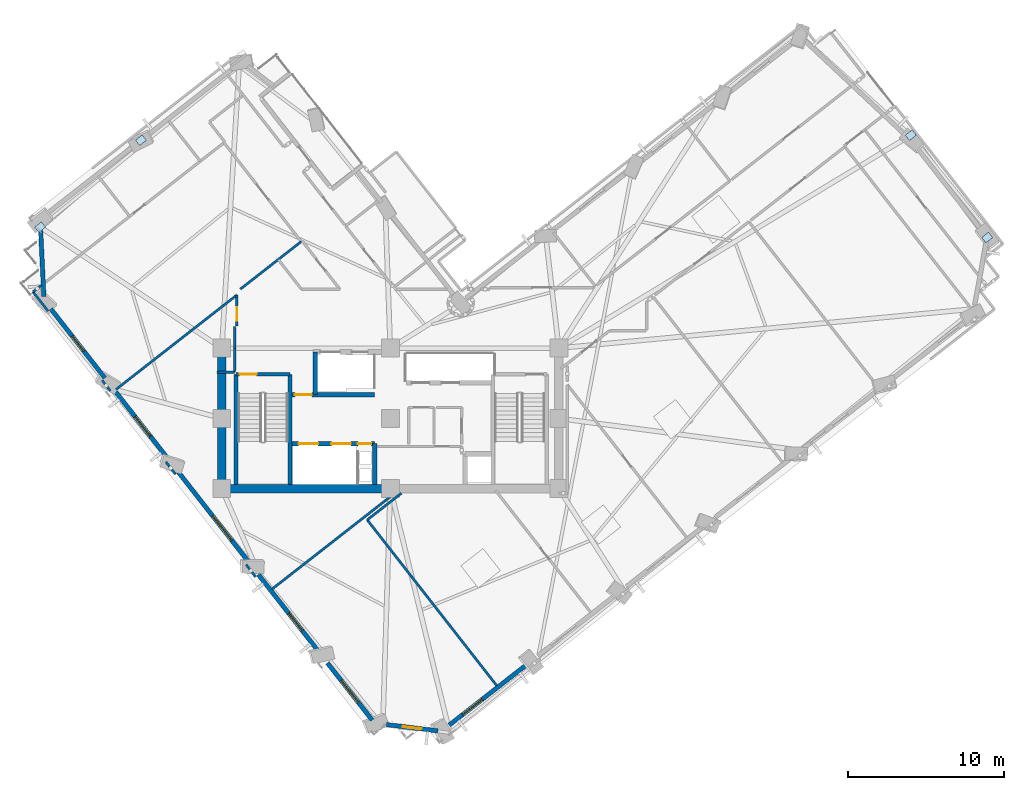
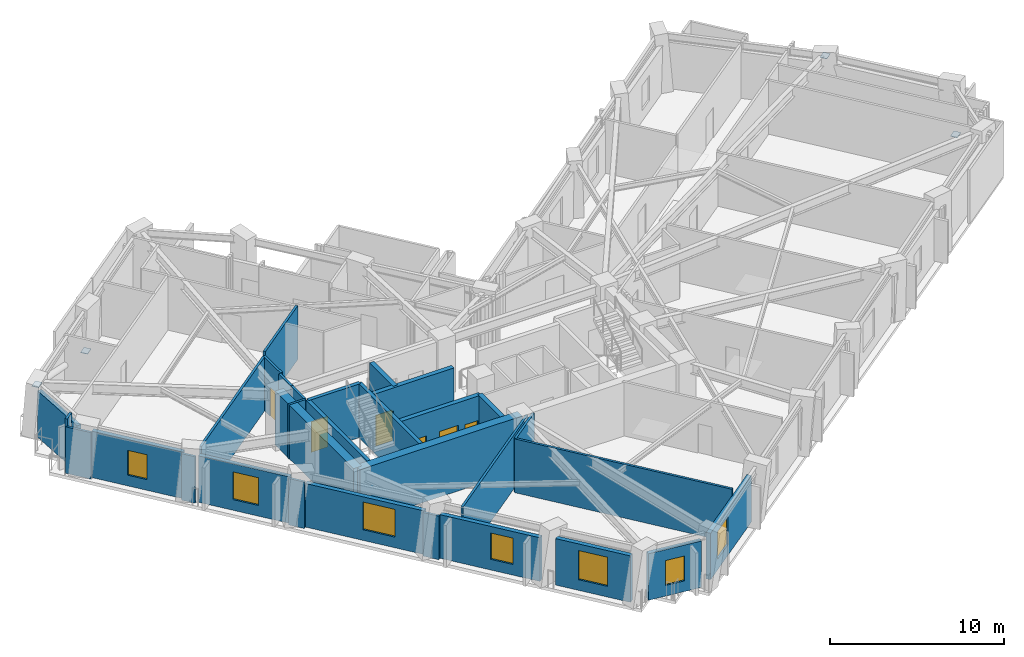
# One storey, part 5 of 14: 31 walls, 7 windows, 6 doors, 4 plates, 13 openings.
"""IFC4 building model written with IfcOpenShell, lengths in metres."""

from ifc_helpers import new_model, si_unit, direction, frame, frame_2d, origin, origin_2d, place, context, subcontext, project, spatial, rectangle, extrude, material, layer, layer_set, type_object, element, fill, save


model = new_model("IFC4")

# Units and contexts
model_context = context("Model", 3, precision=1e-05, world=origin(), true_north=direction((0.0, 1.0)))
body_context = subcontext(model_context, "Body", "Model", "MODEL_VIEW")
ifc_project = project(units=[si_unit("LENGTHUNIT", "METRE"), si_unit("AREAUNIT", "SQUARE_METRE"), si_unit("VOLUMEUNIT", "CUBIC_METRE"), si_unit("PLANEANGLEUNIT", "RADIAN"), si_unit("MASSUNIT", "GRAM", prefix="KILO")], contexts=[model_context])

# Site, building, storey
site_placement = place(None, origin())
site = spatial("IfcSite", under=ifc_project, at=site_placement, CompositionType="ELEMENT")
building_placement = place(site_placement, origin())
building = spatial("IfcBuilding", under=site, at=building_placement, Name="Gaonmaruhae Medical Tower", CompositionType="ELEMENT")
storey_placement = place(building_placement, frame((0.0, 0.0, 185.800048828125)))
storey = spatial("IfcBuildingStorey", under=building, at=storey_placement, Name="L44", CompositionType="ELEMENT", Elevation=185.800048828125)

# Plates
ifc_material_1 = material(Name="Steel HSA650 (650 MPa)", Category="steel")
ifc_layer_1 = layer(ifc_material_1, 0.028076171875)
ifc_layer_set_1 = layer_set([ifc_layer_1], Name="Steel HSA650 (650 MPa)")
plate_type = type_object("IfcPlateType", Name="GP-02 Tube Brace End Cap Gusset Plate", PredefinedType="USERDEFINED", material=ifc_layer_set_1)
for number, where, z_axis, x_axis, name in (
    (1, (63.0537109375, 23.890625, 0.23583984375), (0.0, 0.0, 1.0), (0.788010753607, 0.615661475326, 0.0), "L44 Gusset Cap Plate PLT-L44-PBR-E01A"),
    (2, (58.161376953125, 30.4453125, 3.51611328125), (0.0, 0.0, 1.0), (0.777694851116, 0.628641963719, 0.0), "L44 Gusset Cap Plate PLT-L44-PBR-E01B"),
    (3, (8.8203125, 30.122314453125, 0.23583984375), (0.0, 0.0, 1.0), (0.788010753607, 0.615661475326, 0.0), "L44 Gusset Cap Plate PLT-L44-PBR-N02A"),
    (4, (2.358154296875, 24.555908203125, 3.51611328125), (0.0, 0.0, 1.0), (0.777694851116, 0.628641963719, 0.0), "L44 Gusset Cap Plate PLT-L44-PBR-N02B"),
):
    element("IfcPlate", number, at=place(storey_placement, frame(where, z_axis=z_axis, x_axis=x_axis)), inside=storey, type_object=plate_type, Name=name, ObjectType="GUSSET_PLATE", PredefinedType="USERDEFINED", context=body_context, shape_type="SweptSolid", body=[
        extrude(rectangle(XDim=0.56005859375, YDim=0.43994140625, at=origin_2d()), origin(), (0.0, 0.0, 1.0), 0.028076171875),
    ])

# Walls
ifc_material_2 = material(Name="Concrete C50/60", Category="concrete")
ifc_layer_2 = layer(ifc_material_2, 0.550048828125)
ifc_layer_set_2 = layer_set([ifc_layer_2], Name="Concrete C50/60")
wall_type_1 = type_object("IfcWallType", Name="CW-550 Mid-High Core Shear Wall", PredefinedType="SHEAR", material=ifc_layer_set_2)
wall_1_placement = place(storey_placement, frame((14.0, 7.800048828125, 0.0), z_axis=(0.0, 0.0, 1.0), x_axis=(1.0, 0.0, 0.0)))
element("IfcWall", 5, at=wall_1_placement, inside=storey, type_object=wall_type_1, Name="L44 Core Shear Wall CSW-S1", PredefinedType="SHEAR", context=body_context, shape_type="SweptSolid", body=[
    extrude(rectangle(XDim=10.800048828125, YDim=0.550048828125, at=frame_2d((5.39990234375, 0.0))), origin(), (0.0, 0.0, 1.0), 3.780029296875),
])
wall_2_placement = place(storey_placement, frame((14.0, 16.800048828125, 0.0), z_axis=(0.0, 0.0, 1.0), x_axis=(0.0, -1.0, 0.0)))
element("IfcWall", 6, at=wall_2_placement, inside=storey, type_object=wall_type_1, Name="L44 Core Shear Wall CSW-W1", PredefinedType="SHEAR", context=body_context, shape_type="SweptSolid", body=[
    extrude(rectangle(XDim=9.0, YDim=0.550048828125, at=frame_2d((4.5, 0.0))), origin(), (0.0, 0.0, 1.0), 3.780029296875),
])

# Wall, opening, window
ifc_material_3 = material(Name="Precast concrete C45/55", Category="concrete")
ifc_layer_3 = layer(ifc_material_3, 0.280029296875)
ifc_layer_set_3 = layer_set([ifc_layer_3], Name="Precast concrete C45/55")
wall_type_2 = type_object("IfcWallType", Name="EW-280 Upper Precast Masonry-Frame Facade Wall", PredefinedType="SOLIDWALL", material=ifc_layer_set_3)
wall_3_placement = place(storey_placement, frame((33.51611328125, -3.501220703125, 0.0), z_axis=(0.0, 0.0, 1.0), x_axis=(-0.788023193074, -0.615645553202, 0.0)))
wall_3 = element("IfcWall", 7, at=wall_3_placement, inside=storey, type_object=wall_type_2, Name="L44 Precast Masonry-Frame Wall S01-S02", PredefinedType="SOLIDWALL", context=body_context, shape_type="SweptSolid", body=[
    extrude(rectangle(XDim=6.27001953125, YDim=0.280029296875, at=frame_2d((3.135009765625, 0.0))), origin(), (0.0, 0.0, 1.0), 3.264892578125),
])
opening_1_placement = place(wall_3_placement, frame((3.584228515625, 0.0, 0.75)))
opening_1 = element("IfcOpeningElement", 8, at=opening_1_placement, cuts=wall_3, Name="Opening WN-01", PredefinedType="OPENING", context=body_context, shape_type="SweptSolid", body=[
    extrude(rectangle(XDim=1.60009765625, YDim=1.949951171875, at=frame_2d((0.800048828125, 0.97509765625))), frame((0.0, 0.14990234375, 0.0), z_axis=(0.0, -1.0, 0.0), x_axis=(1.0, 0.0, 0.0)), (0.0, 0.0, 1.0), 0.300048828125),
])
ifc_material_4 = material(Name="Anodised aluminium and Low-E double glazing", Category="aluminium")
window_type_1 = type_object("IfcWindowType", Name="WN-01 Ward Punched Acoustic Window 1600x1950", PartitioningType="SINGLE_PANEL", PredefinedType="WINDOW", material=ifc_material_4)
window_1_placement = place(opening_1_placement, origin())
window_1 = element("IfcWindow", 9, at=window_1_placement, inside=storey, type_object=window_type_1, Name="L44 Modular Facade Window S01", OverallHeight=1.949951171875, OverallWidth=1.60009765625, PartitioningType="SINGLE_PANEL", PredefinedType="WINDOW", context=body_context, shape_type="SweptSolid", body=[
    extrude(rectangle(XDim=1.60009765625, YDim=1.949951171875, at=frame_2d((0.800048828125, 0.97509765625))), frame((0.0, 0.030029296875, 0.0), z_axis=(0.0, -1.0, 0.0), x_axis=(1.0, 0.0, 0.0)), (0.0, 0.0, 1.0), 0.06005859375),
])
fill(opening_1, window_1)

# Wall
wall_4_placement = place(storey_placement, frame((2.599609375, 20.114501953125, 0.0), z_axis=(0.0, 0.0, 1.0), x_axis=(-0.048532085182, 0.998821624069, 0.0)))
element("IfcWall", 10, at=wall_4_placement, inside=storey, type_object=wall_type_2, Name="L44 Precast Masonry-Frame Wall N03-W01", PredefinedType="SOLIDWALL", context=body_context, shape_type="SweptSolid", body=[
    extrude(rectangle(XDim=4.21044921875, YDim=0.280029296875, at=frame_2d((2.105224609375, 0.0))), origin(), (0.0, 0.0, 1.0), 3.264892578125),
])

# Wall, opening, window
wall_5_placement = place(storey_placement, frame((6.512451171875, 14.884521484375, 0.0), z_axis=(0.0, 0.0, 1.0), x_axis=(-0.615681083273, 0.787995433806, 0.0)))
wall_5 = element("IfcWall", 11, at=wall_5_placement, inside=storey, type_object=wall_type_2, Name="L44 Precast Masonry-Frame Wall W01-W02", PredefinedType="SOLIDWALL", context=body_context, shape_type="SweptSolid", body=[
    extrude(rectangle(XDim=5.627685546875, YDim=0.280029296875, at=frame_2d((2.81396484375, 0.0))), origin(), (0.0, 0.0, 1.0), 3.264892578125),
])
opening_2_placement = place(wall_5_placement, frame((2.211181640625, 0.0, 0.75)))
opening_2 = element("IfcOpeningElement", 12, at=opening_2_placement, cuts=wall_5, Name="Opening WN-05", PredefinedType="OPENING", context=body_context, shape_type="SweptSolid", body=[
    extrude(rectangle(XDim=1.199951171875, YDim=1.75, at=frame_2d((0.60009765625, 0.875))), frame((0.0, 0.14990234375, 0.0), z_axis=(0.0, -1.0, 0.0), x_axis=(1.0, 0.0, 0.0)), (0.0, 0.0, 1.0), 0.300048828125),
])
window_type_2 = type_object("IfcWindowType", Name="WN-05 Support & Staff Punched Window 1200x1750", PartitioningType="SINGLE_PANEL", PredefinedType="WINDOW", material=ifc_material_4)
window_2_placement = place(opening_2_placement, origin())
window_2 = element("IfcWindow", 13, at=window_2_placement, inside=storey, type_object=window_type_2, Name="L44 Modular Facade Window W01", OverallHeight=1.75, OverallWidth=1.199951171875, PartitioningType="SINGLE_PANEL", PredefinedType="WINDOW", context=body_context, shape_type="SweptSolid", body=[
    extrude(rectangle(XDim=1.199951171875, YDim=1.75, at=frame_2d((0.60009765625, 0.875))), frame((0.0, 0.030029296875, 0.0), z_axis=(0.0, -1.0, 0.0), x_axis=(1.0, 0.0, 0.0)), (0.0, 0.0, 1.0), 0.06005859375),
])
fill(opening_2, window_2)

wall_6_placement = place(storey_placement, frame((10.603515625, 9.648193359375, 0.0), z_axis=(0.0, 0.0, 1.0), x_axis=(-0.61566746973, 0.788006070228, 0.0)))
wall_6 = element("IfcWall", 14, at=wall_6_placement, inside=storey, type_object=wall_type_2, Name="L44 Precast Masonry-Frame Wall W02-W03", PredefinedType="SOLIDWALL", context=body_context, shape_type="SweptSolid", body=[
    extrude(rectangle(XDim=5.662353515625, YDim=0.280029296875, at=frame_2d((2.8310546875, 0.0))), origin(), (0.0, 0.0, 1.0), 3.264892578125),
])
opening_3_placement = place(wall_6_placement, frame((1.910888671875, 0.0, 0.75)))
opening_3 = element("IfcOpeningElement", 15, at=opening_3_placement, cuts=wall_6, Name="Opening WN-01", PredefinedType="OPENING", context=body_context, shape_type="SweptSolid", body=[
    extrude(rectangle(XDim=1.60009765625, YDim=1.949951171875, at=frame_2d((0.800048828125, 0.97509765625))), frame((0.0, 0.14990234375, 0.0), z_axis=(0.0, -1.0, 0.0), x_axis=(1.0, 0.0, 0.0)), (0.0, 0.0, 1.0), 0.300048828125),
])
window_3_placement = place(opening_3_placement, origin())
window_3 = element("IfcWindow", 16, at=window_3_placement, inside=storey, type_object=window_type_1, Name="L44 Modular Facade Window W02", OverallHeight=1.949951171875, OverallWidth=1.60009765625, PartitioningType="SINGLE_PANEL", PredefinedType="WINDOW", context=body_context, shape_type="SweptSolid", body=[
    extrude(rectangle(XDim=1.60009765625, YDim=1.949951171875, at=frame_2d((0.800048828125, 0.97509765625))), frame((0.0, 0.030029296875, 0.0), z_axis=(0.0, -1.0, 0.0), x_axis=(1.0, 0.0, 0.0)), (0.0, 0.0, 1.0), 0.06005859375),
])
fill(opening_3, window_3)

wall_7_placement = place(storey_placement, frame((15.74560546875, 3.06640625, 0.0), z_axis=(0.0, 0.0, 1.0), x_axis=(-0.615661421178, 0.788010795912, 0.0)))
wall_7 = element("IfcWall", 17, at=wall_7_placement, inside=storey, type_object=wall_type_2, Name="L44 Precast Masonry-Frame Wall W03-W04", PredefinedType="SOLIDWALL", context=body_context, shape_type="SweptSolid", body=[
    extrude(rectangle(XDim=7.3603515625, YDim=0.280029296875, at=frame_2d((3.68017578125, 0.0))), origin(), (0.0, 0.0, 1.0), 3.06494140625),
])
opening_4_placement = place(wall_7_placement, frame((1.78759765625, 0.0, 0.75)))
opening_4 = element("IfcOpeningElement", 18, at=opening_4_placement, cuts=wall_7, Name="Opening WN-02", PredefinedType="OPENING", context=body_context, shape_type="SweptSolid", body=[
    extrude(rectangle(XDim=2.0, YDim=1.949951171875, at=frame_2d((1.0, 0.97509765625))), frame((0.0, 0.14990234375, 0.0), z_axis=(0.0, -1.0, 0.0), x_axis=(1.0, 0.0, 0.0)), (0.0, 0.0, 1.0), 0.300048828125),
])
window_type_3 = type_object("IfcWindowType", Name="WN-02 Double-Bed Ward Punched Window 2000x1950", PartitioningType="SINGLE_PANEL", PredefinedType="WINDOW", material=ifc_material_4)
window_4_placement = place(opening_4_placement, origin())
window_4 = element("IfcWindow", 19, at=window_4_placement, inside=storey, type_object=window_type_3, Name="L44 Modular Facade Window W03", OverallHeight=1.949951171875, OverallWidth=2.0, PartitioningType="SINGLE_PANEL", PredefinedType="WINDOW", context=body_context, shape_type="SweptSolid", body=[
    extrude(rectangle(XDim=2.0, YDim=1.949951171875, at=frame_2d((1.0, 0.97509765625))), frame((0.0, 0.030029296875, 0.0), z_axis=(0.0, -1.0, 0.0), x_axis=(1.0, 0.0, 0.0)), (0.0, 0.0, 1.0), 0.06005859375),
])
fill(opening_4, window_4)

wall_8_placement = place(storey_placement, frame((20.184326171875, -2.614990234375, 0.0), z_axis=(0.0, 0.0, 1.0), x_axis=(-0.615650131987, 0.788019615863, 0.0)))
wall_8 = element("IfcWall", 20, at=wall_8_placement, inside=storey, type_object=wall_type_2, Name="L44 Precast Masonry-Frame Wall W04-W05", PredefinedType="SOLIDWALL", context=body_context, shape_type="SweptSolid", body=[
    extrude(rectangle(XDim=6.2236328125, YDim=0.280029296875, at=frame_2d((3.11181640625, 0.0))), origin(), (0.0, 0.0, 1.0), 3.06494140625),
])
opening_5_placement = place(wall_8_placement, frame((1.67529296875, 0.0, 0.75)))
opening_5 = element("IfcOpeningElement", 21, at=opening_5_placement, cuts=wall_8, Name="Opening WN-03", PredefinedType="OPENING", context=body_context, shape_type="SweptSolid", body=[
    extrude(rectangle(XDim=1.39990234375, YDim=1.85009765625, at=frame_2d((0.699951171875, 0.925048828125))), frame((0.0, 0.14990234375, 0.0), z_axis=(0.0, -1.0, 0.0), x_axis=(1.0, 0.0, 0.0)), (0.0, 0.0, 1.0), 0.300048828125),
])
window_type_4 = type_object("IfcWindowType", Name="WN-03 Isolation Ward Punched Window 1400x1850", PartitioningType="SINGLE_PANEL", PredefinedType="WINDOW", material=ifc_material_4)
window_5_placement = place(opening_5_placement, origin())
window_5 = element("IfcWindow", 22, at=window_5_placement, inside=storey, type_object=window_type_4, Name="L44 Modular Facade Window W04", OverallHeight=1.85009765625, OverallWidth=1.39990234375, PartitioningType="SINGLE_PANEL", PredefinedType="WINDOW", context=body_context, shape_type="SweptSolid", body=[
    extrude(rectangle(XDim=1.39990234375, YDim=1.85009765625, at=frame_2d((0.699951171875, 0.925048828125))), frame((0.0, 0.030029296875, 0.0), z_axis=(0.0, -1.0, 0.0), x_axis=(1.0, 0.0, 0.0)), (0.0, 0.0, 1.0), 0.06005859375),
])
fill(opening_5, window_5)

wall_9_placement = place(storey_placement, frame((23.64013671875, -7.0380859375, 0.0), z_axis=(0.0, 0.0, 1.0), x_axis=(-0.615684818606, 0.787992515281, 0.0)))
wall_9 = element("IfcWall", 23, at=wall_9_placement, inside=storey, type_object=wall_type_2, Name="L44 Precast Masonry-Frame Wall W05-W06", PredefinedType="SOLIDWALL", context=body_context, shape_type="SweptSolid", body=[
    extrude(rectangle(XDim=4.6474609375, YDim=0.280029296875, at=frame_2d((2.32373046875, 0.0))), origin(), (0.0, 0.0, 1.0), 3.264892578125),
])
opening_6_placement = place(wall_9_placement, frame((1.427001953125, 0.0, 0.75)))
opening_6 = element("IfcOpeningElement", 24, at=opening_6_placement, cuts=wall_9, Name="Opening WN-04", PredefinedType="OPENING", context=body_context, shape_type="SweptSolid", body=[
    extrude(rectangle(XDim=1.800048828125, YDim=2.050048828125, at=frame_2d((0.89990234375, 1.02490234375))), frame((0.0, 0.14990234375, 0.0), z_axis=(0.0, -1.0, 0.0), x_axis=(1.0, 0.0, 0.0)), (0.0, 0.0, 1.0), 0.300048828125),
])
window_type_5 = type_object("IfcWindowType", Name="WN-04 Clinic & Consult Punched Window 1800x2050", PartitioningType="SINGLE_PANEL", PredefinedType="WINDOW", material=ifc_material_4)
window_6_placement = place(opening_6_placement, origin())
window_6 = element("IfcWindow", 25, at=window_6_placement, inside=storey, type_object=window_type_5, Name="L44 Modular Facade Window W05", OverallHeight=2.050048828125, OverallWidth=1.800048828125, PartitioningType="SINGLE_PANEL", PredefinedType="WINDOW", context=body_context, shape_type="SweptSolid", body=[
    extrude(rectangle(XDim=1.800048828125, YDim=2.050048828125, at=frame_2d((0.89990234375, 1.02490234375))), frame((0.0, 0.030029296875, 0.0), z_axis=(0.0, -1.0, 0.0), x_axis=(1.0, 0.0, 0.0)), (0.0, 0.0, 1.0), 0.06005859375),
])
fill(opening_6, window_6)

wall_10_placement = place(storey_placement, frame((27.85009765625, -7.728271484375, 0.0), z_axis=(0.0, 0.0, 1.0), x_axis=(-0.992543455277, 0.121891301525, 0.0)))
wall_10 = element("IfcWall", 26, at=wall_10_placement, inside=storey, type_object=wall_type_2, Name="L44 Precast Masonry-Frame Wall W06-S01", PredefinedType="SOLIDWALL", context=body_context, shape_type="SweptSolid", body=[
    extrude(rectangle(XDim=3.32275390625, YDim=0.280029296875, at=frame_2d((1.661376953125, 0.0))), origin(), (0.0, 0.0, 1.0), 3.264892578125),
])
opening_7_placement = place(wall_10_placement, frame((1.060791015625, 0.0, 0.75)))
opening_7 = element("IfcOpeningElement", 27, at=opening_7_placement, cuts=wall_10, Name="Opening WN-05", PredefinedType="OPENING", context=body_context, shape_type="SweptSolid", body=[
    extrude(rectangle(XDim=1.199951171875, YDim=1.75, at=frame_2d((0.60009765625, 0.875))), frame((0.0, 0.14990234375, 0.0), z_axis=(0.0, -1.0, 0.0), x_axis=(1.0, 0.0, 0.0)), (0.0, 0.0, 1.0), 0.300048828125),
])
window_7_placement = place(opening_7_placement, origin())
window_7 = element("IfcWindow", 28, at=window_7_placement, inside=storey, type_object=window_type_2, Name="L44 Modular Facade Window W06", OverallHeight=1.75, OverallWidth=1.199951171875, PartitioningType="SINGLE_PANEL", PredefinedType="WINDOW", context=body_context, shape_type="SweptSolid", body=[
    extrude(rectangle(XDim=1.199951171875, YDim=1.75, at=frame_2d((0.60009765625, 0.875))), frame((0.0, 0.030029296875, 0.0), z_axis=(0.0, -1.0, 0.0), x_axis=(1.0, 0.0, 0.0)), (0.0, 0.0, 1.0), 0.06005859375),
])
fill(opening_7, window_7)

# Walls
ifc_material_5 = material(Name="Gypsum board partition", Category="gypsum")
ifc_layer_4 = layer(ifc_material_5, 0.14990234375)
ifc_layer_set_4 = layer_set([ifc_layer_4], Name="Gypsum board partition")
wall_type_3 = type_object("IfcWallType", Name="PW-150 Rated Clinical Corridor Partition", PredefinedType="PARTITIONING", material=ifc_layer_set_4)
wall_11_placement = place(storey_placement, frame((31.625, -4.8330078125, 0.0), z_axis=(0.0, 0.0, 1.0), x_axis=(-0.615629988963, 0.788035352436, 0.0)))
element("IfcWall", 29, at=wall_11_placement, inside=storey, type_object=wall_type_3, Name="L44 Interior Partition L44-SUP02-9", PredefinedType="PARTITIONING", context=body_context, shape_type="SweptSolid", body=[
    extrude(rectangle(XDim=13.4853515625, YDim=0.14990234375, at=frame_2d((6.74267578125, 0.0))), origin(), (0.0, 0.0, 1.0), 3.780029296875),
])
wall_12_placement = place(storey_placement, frame((23.322998046875, 5.7939453125, 0.0), z_axis=(0.0, 0.0, 1.0), x_axis=(0.788069779756, 0.615585917833, 0.0)))
element("IfcWall", 30, at=wall_12_placement, inside=storey, type_object=wall_type_3, Name="L44 Interior Partition L44-SUP02-10", PredefinedType="PARTITIONING", context=body_context, shape_type="SweptSolid", body=[
    extrude(rectangle(XDim=2.771484375, YDim=0.14990234375, at=frame_2d((1.3857421875, 0.0))), origin(), (0.0, 0.0, 1.0), 3.780029296875),
])
wall_13_placement = place(storey_placement, frame((25.0849609375, 7.5, 0.0), z_axis=(0.0, 0.0, 1.0), x_axis=(-0.788054803654, -0.615605089678, 0.0)))
element("IfcWall", 31, at=wall_13_placement, inside=storey, type_object=wall_type_3, Name="L44 Interior Partition L44-WOF07-30", PredefinedType="PARTITIONING", context=body_context, shape_type="SweptSolid", body=[
    extrude(rectangle(XDim=9.9736328125, YDim=0.14990234375, at=frame_2d((4.98681640625, 0.0))), origin(), (0.0, 0.0, 1.0), 3.780029296875),
])
wall_14_placement = place(storey_placement, frame((16.1708984375, 2.14697265625, 0.0), z_axis=(0.0, 0.0, 1.0), x_axis=(-0.615053333502, 0.788485508395, 0.0)))
element("IfcWall", 32, at=wall_14_placement, inside=storey, type_object=wall_type_3, Name="L44 Interior Partition L44-WOF07-31", PredefinedType="PARTITIONING", context=body_context, shape_type="SweptSolid", body=[
    extrude(rectangle(XDim=0.98681640625, YDim=0.14990234375, at=frame_2d((0.493408203125, 0.0))), origin(), (0.0, 0.0, 1.0), 3.06494140625),
])
wall_15_placement = place(storey_placement, frame((14.820068359375, 18.199951171875, 0.0), z_axis=(0.0, 0.0, 1.0), x_axis=(0.01499656939, -0.99988754513, 0.0)))
element("IfcWall", 33, at=wall_15_placement, inside=storey, type_object=wall_type_3, Name="L44 Interior Partition L44-WOF08-33", PredefinedType="PARTITIONING", context=body_context, shape_type="SweptSolid", body=[
    extrude(rectangle(XDim=1.400146484375, YDim=0.14990234375, at=frame_2d((0.7001953125, 0.0))), origin(), (0.0, 0.0, 1.0), 3.780029296875),
])
wall_16_placement = place(storey_placement, frame((14.841064453125, 16.800048828125, 0.0), z_axis=(0.0, 0.0, 1.0), x_axis=(-0.01363221443, -0.999907077048, 0.0)))
element("IfcWall", 34, at=wall_16_placement, inside=storey, type_object=wall_type_3, Name="L44 Interior Partition L44-WOF08-34", PredefinedType="PARTITIONING", context=body_context, shape_type="SweptSolid", body=[
    extrude(rectangle(XDim=1.540283203125, YDim=0.14990234375, at=frame_2d((0.77001953125, 0.0))), origin(), (0.0, 0.0, 1.0), 3.780029296875),
])
wall_17_placement = place(storey_placement, frame((14.820068359375, 15.260009765625, 0.0), z_axis=(0.0, 0.0, 1.0), x_axis=(-1.0, 0.0, 0.0)))
element("IfcWall", 35, at=wall_17_placement, inside=storey, type_object=wall_type_3, Name="L44 Interior Partition L44-WOF08-35", PredefinedType="PARTITIONING", context=body_context, shape_type="SweptSolid", body=[
    extrude(rectangle(XDim=1.1201171875, YDim=0.14990234375, at=frame_2d((0.56005859375, 0.0))), origin(), (0.0, 0.0, 1.0), 3.780029296875),
])
wall_18_placement = place(storey_placement, frame((11.032958984375, 8.72509765625, 0.0), z_axis=(0.0, 0.0, 1.0), x_axis=(-0.615591520289, 0.788065403471, 0.0)))
element("IfcWall", 36, at=wall_18_placement, inside=storey, type_object=wall_type_3, Name="L44 Interior Partition L44-WOF08-36", PredefinedType="PARTITIONING", context=body_context, shape_type="SweptSolid", body=[
    extrude(rectangle(XDim=0.9921875, YDim=0.14990234375, at=frame_2d((0.49609375, 0.0))), origin(), (0.0, 0.0, 1.0), 3.264892578125),
])
wall_19_placement = place(storey_placement, frame((7.22705078125, 14.156982421875, 0.0), z_axis=(0.0, 0.0, 1.0), x_axis=(0.788028517416, 0.615638738011, 0.0)))
element("IfcWall", 37, at=wall_19_placement, inside=storey, type_object=wall_type_3, Name="L44 Interior Partition L44-WOF08-37", PredefinedType="PARTITIONING", context=body_context, shape_type="SweptSolid", body=[
    extrude(rectangle(XDim=9.82568359375, YDim=0.14990234375, at=frame_2d((4.912841796875, 0.0))), origin(), (0.0, 0.0, 1.0), 3.780029296875),
])

# Wall, opening, door
wall_20_placement = place(storey_placement, frame((14.969970703125, 20.2060546875, 0.0), z_axis=(0.0, 0.0, 1.0), x_axis=(0.0, -1.0, 0.0)))
wall_20 = element("IfcWall", 38, at=wall_20_placement, inside=storey, type_object=wall_type_3, Name="L44 Interior Partition L44-WOF08-38", PredefinedType="PARTITIONING", context=body_context, shape_type="SweptSolid", body=[
    extrude(rectangle(XDim=1.97607421875, YDim=0.14990234375, at=frame_2d((0.988037109375, 0.0))), origin(), (0.0, 0.0, 1.0), 3.780029296875),
])
opening_8_placement = place(wall_20_placement, frame((0.77490234375, 0.0, 0.0)))
opening_8 = element("IfcOpeningElement", 39, at=opening_8_placement, cuts=wall_20, Name="Opening AD-01", PredefinedType="OPENING", context=body_context, shape_type="SweptSolid", body=[
    extrude(rectangle(XDim=0.860107421875, YDim=2.06005859375, at=frame_2d((0.43017578125, 1.030029296875))), frame((0.0, 0.0849609375, 0.0), z_axis=(0.0, -1.0, 0.0), x_axis=(1.0, 0.0, 0.0)), (0.0, 0.0, 1.0), 0.169921875),
])
ifc_material_6 = material(Name="Powder-coated steel access door", Category="steel")
door_type_1 = type_object("IfcDoorType", Name="AD-01 Riser & Closet Access Fire Door 860x2060", OperationType="NOTDEFINED", PredefinedType="DOOR", material=ifc_material_6)
door_1_placement = place(opening_8_placement, origin())
door_1 = element("IfcDoor", 40, at=door_1_placement, inside=storey, type_object=door_type_1, Name="L44 Ward Physician Reporting Office Sliding Door", OperationType="SLIDING_TO_LEFT", OverallHeight=2.06005859375, OverallWidth=0.860107421875, PredefinedType="DOOR", context=body_context, shape_type="SweptSolid", body=[
    extrude(rectangle(XDim=0.860107421875, YDim=2.06005859375, at=frame_2d((0.43017578125, 1.030029296875))), frame((0.0, 0.02490234375, 0.0), z_axis=(0.0, -1.0, 0.0), x_axis=(1.0, 0.0, 0.0)), (0.0, 0.0, 1.0), 0.050048828125),
])
fill(opening_8, door_1)

# Walls
wall_21_placement = place(storey_placement, frame((6.85595703125, 14.070068359375, 0.0), z_axis=(0.0, 0.0, 1.0), x_axis=(-0.615644041972, 0.788024373725, 0.0)))
element("IfcWall", 41, at=wall_21_placement, inside=storey, type_object=wall_type_3, Name="L44 Interior Partition L44-WOF09-39", PredefinedType="PARTITIONING", context=body_context, shape_type="SweptSolid", body=[
    extrude(rectangle(XDim=0.8525390625, YDim=0.14990234375, at=frame_2d((0.42626953125, 0.0))), origin(), (0.0, 0.0, 1.0), 3.264892578125),
])
wall_22_placement = place(storey_placement, frame((2.865966796875, 19.177001953125, 0.0), z_axis=(0.0, 0.0, 1.0), x_axis=(-0.615565050516, 0.788086079425, 0.0)))
element("IfcWall", 42, at=wall_22_placement, inside=storey, type_object=wall_type_3, Name="L44 Interior Partition L44-WOF09-40", PredefinedType="PARTITIONING", context=body_context, shape_type="SweptSolid", body=[
    extrude(rectangle(XDim=1.5595703125, YDim=0.14990234375, at=frame_2d((0.77978515625, 0.0))), origin(), (0.0, 0.0, 1.0), 3.264892578125),
])
wall_23_placement = place(storey_placement, frame((1.906005859375, 20.406005859375, 0.0), z_axis=(0.0, 0.0, 1.0), x_axis=(0.787960028155, 0.61572639543, 0.0)))
element("IfcWall", 43, at=wall_23_placement, inside=storey, type_object=wall_type_3, Name="L44 Interior Partition L44-WOF09-41", PredefinedType="PARTITIONING", context=body_context, shape_type="SweptSolid", body=[
    extrude(rectangle(XDim=0.6904296875, YDim=0.14990234375, at=frame_2d((0.34521484375, 0.0))), origin(), (0.0, 0.0, 1.0), 3.780029296875),
])
wall_24_placement = place(storey_placement, frame((19.093994140625, 23.632080078125, 0.0), z_axis=(0.0, 0.0, 1.0), x_axis=(-0.787981810279, -0.615698519301, 0.0)))
element("IfcWall", 44, at=wall_24_placement, inside=storey, type_object=wall_type_3, Name="L44 Interior Partition L44-WOF09-44", PredefinedType="PARTITIONING", context=body_context, shape_type="SweptSolid", body=[
    extrude(rectangle(XDim=4.95703125, YDim=0.14990234375, at=frame_2d((2.478515625, 0.0))), origin(), (0.0, 0.0, 1.0), 3.780029296875),
])

# Wall, opening, door
ifc_layer_5 = layer(ifc_material_2, 0.239990234375)
ifc_layer_set_5 = layer_set([ifc_layer_5], Name="Concrete C50/60")
wall_type_4 = type_object("IfcWallType", Name="SW-240 Dogleg Stair Tight Shaft Wall", PredefinedType="SOLIDWALL", material=ifc_layer_set_5)
wall_25_placement = place(storey_placement, frame((14.919921875, 15.1201171875, 0.0), z_axis=(0.0, 0.0, 1.0), x_axis=(1.0, 0.0, 0.0)))
wall_25 = element("IfcWall", 45, at=wall_25_placement, inside=storey, type_object=wall_type_4, Name="L44 ST-01 Stair Shaft Wall SHW-ST-01-N", PredefinedType="SOLIDWALL", context=body_context, shape_type="SweptSolid", body=[
    extrude(rectangle(XDim=3.4599609375, YDim=0.239990234375, at=frame_2d((1.72998046875, 0.0))), origin(), (0.0, 0.0, 1.0), 3.780029296875),
])
opening_9_placement = place(wall_25_placement, frame((0.219970703125, 0.0, 0.0)))
opening_9 = element("IfcOpeningElement", 46, at=opening_9_placement, cuts=wall_25, Name="Opening FD-01", PredefinedType="OPENING", context=body_context, shape_type="SweptSolid", body=[
    extrude(rectangle(XDim=1.10009765625, YDim=2.14990234375, at=frame_2d((0.550048828125, 1.074951171875))), frame((0.0, 0.1298828125, 0.0), z_axis=(0.0, -1.0, 0.0), x_axis=(1.0, 0.0, 0.0)), (0.0, 0.0, 1.0), 0.260009765625),
])
ifc_material_7 = material(Name="Powder-coated steel fire door", Category="steel")
door_type_2 = type_object("IfcDoorType", Name="FD-01 Escape Stair Protected Fire Door 1100x2150", OperationType="NOTDEFINED", PredefinedType="DOOR", material=ifc_material_7)
door_2_placement = place(opening_9_placement, origin())
door_2 = element("IfcDoor", 47, at=door_2_placement, inside=storey, type_object=door_type_2, Name="L44 ST-01 Protected Escape Stair Door", OperationType="SINGLE_SWING_LEFT", OverallHeight=2.14990234375, OverallWidth=1.10009765625, PredefinedType="DOOR", context=body_context, shape_type="SweptSolid", body=[
    extrude(rectangle(XDim=1.10009765625, YDim=2.14990234375, at=frame_2d((0.550048828125, 1.074951171875))), frame((0.0, 0.02490234375, 0.0), z_axis=(0.0, -1.0, 0.0), x_axis=(1.0, 0.0, 0.0)), (0.0, 0.0, 1.0), 0.050048828125),
])
fill(opening_9, door_2)

# Walls
for number, where, z_axis, x_axis, name in (
    (48, (18.3798828125, 15.1201171875, 0.0), (0.0, 0.0, 1.0), (0.0, -1.0, 0.0), "L44 ST-01 Stair Shaft Wall SHW-ST-01-E"),
    (49, (14.919921875, 8.074951171875, 0.0), (0.0, 0.0, 1.0), (0.0, 1.0, 0.0), "L44 ST-01 Stair Shaft Wall SHW-ST-01-W"),
):
    element("IfcWall", number, at=place(storey_placement, frame(where, z_axis=z_axis, x_axis=x_axis)), inside=storey, type_object=wall_type_4, Name=name, PredefinedType="SOLIDWALL", context=body_context, shape_type="SweptSolid", body=[
        extrude(rectangle(XDim=7.045166015625, YDim=0.239990234375, at=frame_2d((3.5224609375, 0.0))), origin(), (0.0, 0.0, 1.0), 3.780029296875),
    ])

# Wall, openings, doors
ifc_layer_6 = layer(ifc_material_2, 0.300048828125)
ifc_layer_set_6 = layer_set([ifc_layer_6], Name="Concrete C50/60")
wall_type_5 = type_object("IfcWallType", Name="SW-300 Stair & Lift Hoistway Shaft Wall", PredefinedType="SOLIDWALL", material=ifc_layer_set_6)
wall_26_placement = place(storey_placement, frame((18.5, 10.679931640625, 0.0), z_axis=(0.0, 0.0, 1.0), x_axis=(1.0, 0.0, 0.0)))
wall_26 = element("IfcWall", 50, at=wall_26_placement, inside=storey, type_object=wall_type_5, Name="L44 Shaft Enclosure Wall SHW-FFN", PredefinedType="SOLIDWALL", context=body_context, shape_type="SweptSolid", body=[
    extrude(rectangle(XDim=5.300048828125, YDim=0.300048828125, at=frame_2d((2.64990234375, 0.0))), origin(), (0.0, 0.0, 1.0), 3.780029296875),
])
opening_10_placement = place(wall_26_placement, frame((4.219970703125, 0.0, 0.0)))
opening_10 = element("IfcOpeningElement", 51, at=opening_10_placement, cuts=wall_26, Name="Opening AD-01", PredefinedType="OPENING", context=body_context, shape_type="SweptSolid", body=[
    extrude(rectangle(XDim=0.860107421875, YDim=2.06005859375, at=frame_2d((0.43017578125, 1.030029296875))), frame((0.0, 0.16015625, 0.0), z_axis=(0.0, -1.0, 0.0), x_axis=(1.0, 0.0, 0.0)), (0.0, 0.0, 1.0), 0.320068359375),
])
opening_11_placement = place(wall_26_placement, frame((0.425048828125, 0.0, 0.0)))
opening_11 = element("IfcOpeningElement", 52, at=opening_11_placement, cuts=wall_26, Name="Opening LD-F1", PredefinedType="OPENING", context=body_context, shape_type="SweptSolid", body=[
    extrude(rectangle(XDim=1.25, YDim=2.179931640625, at=frame_2d((0.625, 1.08984375))), frame((0.0, 0.16015625, 0.0), z_axis=(0.0, -1.0, 0.0), x_axis=(1.0, 0.0, 0.0)), (0.0, 0.0, 1.0), 0.320068359375),
])
opening_12_placement = place(wall_26_placement, frame((2.52490234375, 0.0, 0.0)))
opening_12 = element("IfcOpeningElement", 53, at=opening_12_placement, cuts=wall_26, Name="Opening LD-F1", PredefinedType="OPENING", context=body_context, shape_type="SweptSolid", body=[
    extrude(rectangle(XDim=1.25, YDim=2.179931640625, at=frame_2d((0.625, 1.08984375))), frame((0.0, 0.16015625, 0.0), z_axis=(0.0, -1.0, 0.0), x_axis=(1.0, 0.0, 0.0)), (0.0, 0.0, 1.0), 0.320068359375),
])
door_3_placement = place(opening_10_placement, origin())
door_3 = element("IfcDoor", 54, at=door_3_placement, inside=storey, type_object=door_type_1, Name="L44 Medical Gas and MEP Riser Access Door", OperationType="SINGLE_SWING_RIGHT", OverallHeight=2.06005859375, OverallWidth=0.860107421875, PredefinedType="DOOR", context=body_context, shape_type="SweptSolid", body=[
    extrude(rectangle(XDim=0.860107421875, YDim=2.06005859375, at=frame_2d((0.43017578125, 1.030029296875))), frame((0.0, 0.02490234375, 0.0), z_axis=(0.0, -1.0, 0.0), x_axis=(1.0, 0.0, 0.0)), (0.0, 0.0, 1.0), 0.050048828125),
])
fill(opening_10, door_3)
ifc_material_8 = material(Name="Brushed stainless steel 316L landing door", Category="steel")
door_type_3 = type_object("IfcDoorType", Name="LD-F1 Firefighting & Bed Lift Sliding Landing Door 1250x2180", OperationType="NOTDEFINED", PredefinedType="DOOR", material=ifc_material_8)
door_4_placement = place(opening_11_placement, origin())
door_4 = element("IfcDoor", 55, at=door_4_placement, inside=storey, type_object=door_type_3, Name="L44 Firefighting Lift Landing Door FFL-01", OperationType="DOUBLE_DOOR_SLIDING", OverallHeight=2.179931640625, OverallWidth=1.25, PredefinedType="DOOR", context=body_context, shape_type="SweptSolid", body=[
    extrude(rectangle(XDim=1.25, YDim=2.179931640625, at=frame_2d((0.625, 1.08984375))), frame((0.0, 0.02490234375, 0.0), z_axis=(0.0, -1.0, 0.0), x_axis=(1.0, 0.0, 0.0)), (0.0, 0.0, 1.0), 0.050048828125),
])
fill(opening_11, door_4)
door_5_placement = place(opening_12_placement, origin())
door_5 = element("IfcDoor", 56, at=door_5_placement, inside=storey, type_object=door_type_3, Name="L44 Firefighting Lift Landing Door FFL-02", OperationType="DOUBLE_DOOR_SLIDING", OverallHeight=2.179931640625, OverallWidth=1.25, PredefinedType="DOOR", context=body_context, shape_type="SweptSolid", body=[
    extrude(rectangle(XDim=1.25, YDim=2.179931640625, at=frame_2d((0.625, 1.08984375))), frame((0.0, 0.02490234375, 0.0), z_axis=(0.0, -1.0, 0.0), x_axis=(1.0, 0.0, 0.0)), (0.0, 0.0, 1.0), 0.050048828125),
])
fill(opening_12, door_5)

# Wall, opening, door
wall_27_placement = place(storey_placement, frame((18.5, 13.820068359375, 0.0), z_axis=(0.0, 0.0, 1.0), x_axis=(1.0, 0.0, 0.0)))
wall_27 = element("IfcWall", 57, at=wall_27_placement, inside=storey, type_object=wall_type_5, Name="L44 Shaft Enclosure Wall SHW-FFL", PredefinedType="SOLIDWALL", context=body_context, shape_type="SweptSolid", body=[
    extrude(rectangle(XDim=5.300048828125, YDim=0.300048828125, at=frame_2d((2.64990234375, 0.0))), origin(), (0.0, 0.0, 1.0), 3.780029296875),
])
opening_13_placement = place(wall_27_placement, frame((0.179931640625, 0.0, 0.0)))
opening_13 = element("IfcOpeningElement", 58, at=opening_13_placement, cuts=wall_27, Name="Opening FD-01", PredefinedType="OPENING", context=body_context, shape_type="SweptSolid", body=[
    extrude(rectangle(XDim=1.10009765625, YDim=2.14990234375, at=frame_2d((0.550048828125, 1.074951171875))), frame((0.0, 0.16015625, 0.0), z_axis=(0.0, -1.0, 0.0), x_axis=(1.0, 0.0, 0.0)), (0.0, 0.0, 1.0), 0.320068359375),
])
door_6_placement = place(opening_13_placement, origin())
door_6 = element("IfcDoor", 59, at=door_6_placement, inside=storey, type_object=door_type_2, Name="L44 Firefighting Lobby Smoke Door", OperationType="SINGLE_SWING_LEFT", OverallHeight=2.14990234375, OverallWidth=1.10009765625, PredefinedType="DOOR", context=body_context, shape_type="SweptSolid", body=[
    extrude(rectangle(XDim=1.10009765625, YDim=2.14990234375, at=frame_2d((0.550048828125, 1.074951171875))), frame((0.0, 0.02490234375, 0.0), z_axis=(0.0, -1.0, 0.0), x_axis=(1.0, 0.0, 0.0)), (0.0, 0.0, 1.0), 0.050048828125),
])
fill(opening_13, door_6)

# Walls
wall_28_placement = place(storey_placement, frame((23.800048828125, 8.074951171875, 0.0), z_axis=(0.0, 0.0, 1.0), x_axis=(0.0, 1.0, 0.0)))
element("IfcWall", 60, at=wall_28_placement, inside=storey, type_object=wall_type_5, Name="L44 Shaft Enclosure Wall SHW-FFE", PredefinedType="SOLIDWALL", context=body_context, shape_type="SweptSolid", body=[
    extrude(rectangle(XDim=2.60498046875, YDim=0.300048828125, at=frame_2d((1.302490234375, 0.0))), origin(), (0.0, 0.0, 1.0), 3.780029296875),
])
wall_29_placement = place(storey_placement, frame((20.0, 13.820068359375, 0.0), z_axis=(0.0, 0.0, 1.0), x_axis=(0.0, 1.0, 0.0)))
element("IfcWall", 61, at=wall_29_placement, inside=storey, type_object=wall_type_5, Name="L44 Shaft Enclosure Wall SHW-BDW", PredefinedType="SOLIDWALL", context=body_context, shape_type="SweptSolid", body=[
    extrude(rectangle(XDim=2.72998046875, YDim=0.300048828125, at=frame_2d((1.364990234375, 0.0))), origin(), (0.0, 0.0, 1.0), 3.780029296875),
])

save(model, "model.ifc")
